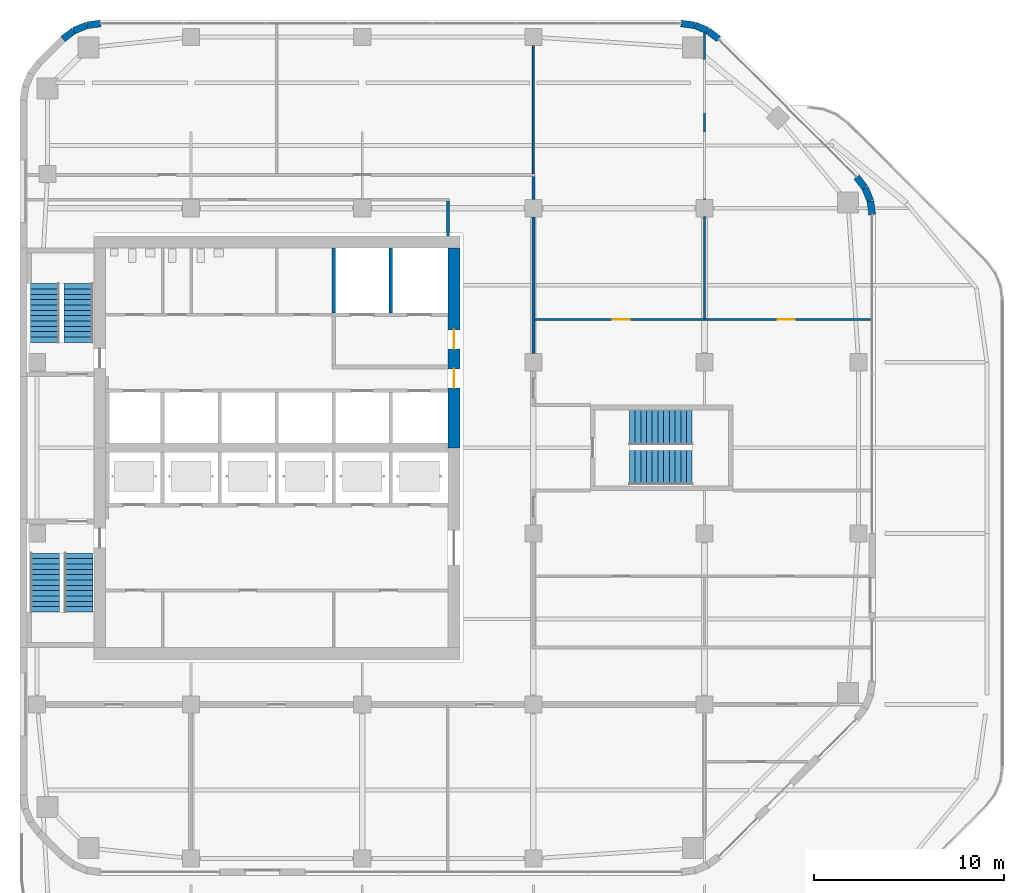
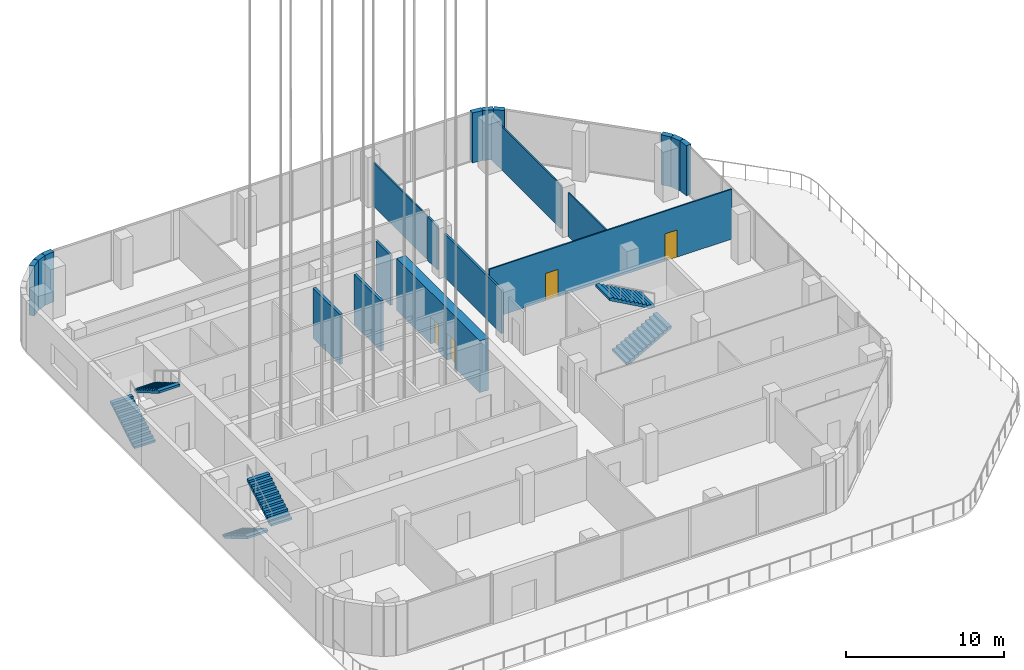
# One storey, part 26 of 29: 19 walls, 6 stair flights, 4 doors, 4 openings, 3 elements without a shape of their own.
"""IFC4 building model written with IfcOpenShell, lengths in metres."""

from ifc_helpers import new_model, si_unit, direction, frame, frame_2d, origin, place, context, subcontext, project, spatial, polyline, rectangle, outline, extrude, material, layer, layer_set, type_object, element, fill, aggregate, save


model = new_model("IFC4")

# Units and contexts
model_context = context("Model", 3, precision=1e-05, world=origin(), true_north=direction((0.0, 1.0)))
body_context = subcontext(model_context, "Body", "Model", "MODEL_VIEW")
ifc_project = project(units=[si_unit("LENGTHUNIT", "METRE"), si_unit("AREAUNIT", "SQUARE_METRE"), si_unit("VOLUMEUNIT", "CUBIC_METRE"), si_unit("PLANEANGLEUNIT", "RADIAN"), si_unit("MASSUNIT", "GRAM", prefix="KILO")], contexts=[model_context])

# Site, building, storey
site_placement = place(None, origin())
site = spatial("IfcSite", under=ifc_project, at=site_placement, CompositionType="ELEMENT")
building_placement = place(site_placement, origin())
building = spatial("IfcBuilding", under=site, at=building_placement, Name="Cinnabar Reach Civic Tower", CompositionType="ELEMENT")
storey_placement = place(building_placement, frame((0.0, 0.0, 149.0)))
storey = spatial("IfcBuildingStorey", under=building, at=storey_placement, Name="L35", CompositionType="ELEMENT", Elevation=149.0)

# Walls
ifc_material_1 = material(Name="Facing brick with insulated backing", Category="masonry")
ifc_layer_1 = layer(ifc_material_1, 0.36)
ifc_layer_set_1 = layer_set([ifc_layer_1], Name="Brick corner wall")
wall_type_1 = type_object("IfcWallType", Name="Brick corner wall", PredefinedType="STANDARD", material=ifc_layer_set_1)
for number, where, z_axis, x_axis, name in (
    (1, (44.817, 43.7686, 0.0), (0.0, 0.0, 1.0), (-0.13055608231, 0.99144092581, 0.0), "Brick corner wall"),
    (2, (44.7181, 44.4973, 0.0), (0.0, 0.0, 1.0), (-0.382702709855, 0.923871547278, 0.0), "Brick corner wall"),
):
    element("IfcWall", number, at=place(storey_placement, frame(where, z_axis=z_axis, x_axis=x_axis)), inside=storey, type_object=wall_type_1, Name=name, PredefinedType="STANDARD", context=body_context, shape_type="SweptSolid", body=[
        extrude(rectangle(XDim=0.7131, YDim=0.36, at=frame_2d((0.3565, 0.0))), origin(), (0.0, 0.0, 1.0), 3.85),
    ])
for number, where, z_axis, x_axis, name in (
    (3, (44.434, 45.1755, 0.0), (0.0, 0.0, 1.0), (-0.608802368033, 0.793321924995, 0.0), "Brick corner wall"),
    (4, (36.7413, 52.9998, 0.0), (0.0, 0.0, 1.0), (-0.793321924995, 0.608802368033, 0.0), "Brick corner wall"),
):
    element("IfcWall", number, at=place(storey_placement, frame(where, z_axis=z_axis, x_axis=x_axis)), inside=storey, type_object=wall_type_1, Name=name, PredefinedType="STANDARD", context=body_context, shape_type="SweptSolid", body=[
        extrude(rectangle(XDim=0.7132, YDim=0.36, at=frame_2d((0.3566, 0.0))), origin(), (0.0, 0.0, 1.0), 3.85),
    ])
for number, where, z_axis, x_axis, name in (
    (5, (36.1561, 53.4452, 0.0), (0.0, 0.0, 1.0), (-0.923871547278, 0.382702709855, 0.0), "Brick corner wall"),
    (6, (35.4756, 53.7239, 0.0), (0.0, 0.0, 1.0), (-0.99144092581, 0.13055608231, 0.0), "Brick corner wall"),
    (7, (4.2314, 53.817, 0.0), (0.0, 0.0, 1.0), (-0.99144092581, -0.13055608231, 0.0), "Brick corner wall"),
    (8, (3.5027, 53.7181, 0.0), (0.0, 0.0, 1.0), (-0.923871547278, -0.382702709855, 0.0), "Brick corner wall"),
):
    element("IfcWall", number, at=place(storey_placement, frame(where, z_axis=z_axis, x_axis=x_axis)), inside=storey, type_object=wall_type_1, Name=name, PredefinedType="STANDARD", context=body_context, shape_type="SweptSolid", body=[
        extrude(rectangle(XDim=0.7131, YDim=0.36, at=frame_2d((0.3565, 0.0))), origin(), (0.0, 0.0, 1.0), 3.85),
    ])
wall_1_placement = place(storey_placement, frame((2.8245, 53.434, 0.0), z_axis=(0.0, 0.0, 1.0), x_axis=(-0.793321924995, -0.608802368033, 0.0)))
element("IfcWall", 9, at=wall_1_placement, inside=storey, type_object=wall_type_1, Name="Brick corner wall", PredefinedType="STANDARD", context=body_context, shape_type="SweptSolid", body=[
    extrude(rectangle(XDim=0.7132, YDim=0.36, at=frame_2d((0.3566, 0.0))), origin(), (0.0, 0.0, 1.0), 3.85),
])

# Wall, openings, doors
ifc_material_2 = material(Name="Concrete C70", Category="concrete")
ifc_layer_2 = layer(ifc_material_2, 0.65)
ifc_layer_set_2 = layer_set([ifc_layer_2], Name="Core wall 650 EI 180")
wall_type_2 = type_object("IfcWallType", Name="Core wall 650 EI 180", PredefinedType="SOLIDWALL", material=ifc_layer_set_2)
wall_2_placement = place(storey_placement, frame((22.825, 31.5, 0.0), z_axis=(0.0, 0.0, 1.0), x_axis=(0.0, 1.0, 0.0)))
wall_2 = element("IfcWall", 10, at=wall_2_placement, inside=storey, type_object=wall_type_2, Name="Core wall T1 L35 E2", PredefinedType="SOLIDWALL", context=body_context, shape_type="SweptSolid", body=[
    extrude(rectangle(XDim=10.5, YDim=0.65, at=frame_2d((5.25, 0.0))), origin(), (0.0, 0.0, 1.0), 4.0),
])
opening_1_placement = place(wall_2_placement, frame((3.15, 0.0, 0.0)))
opening_1 = element("IfcOpeningElement", 11, at=opening_1_placement, cuts=wall_2, Name="Opening D4428", PredefinedType="OPENING", context=body_context, shape_type="SweptSolid", body=[
    extrude(rectangle(XDim=1.0, YDim=2.1, at=frame_2d((0.5, 1.05))), frame((0.0, 0.335, 0.0), z_axis=(0.0, -1.0, 0.0), x_axis=(1.0, 0.0, 0.0)), (0.0, 0.0, 1.0), 0.67),
])
opening_2_placement = place(wall_2_placement, frame((5.2, 0.0, 0.0)))
opening_2 = element("IfcOpeningElement", 12, at=opening_2_placement, cuts=wall_2, Name="Opening D4429", PredefinedType="OPENING", context=body_context, shape_type="SweptSolid", body=[
    extrude(rectangle(XDim=1.0, YDim=2.1, at=frame_2d((0.5, 1.05))), frame((0.0, 0.335, 0.0), z_axis=(0.0, -1.0, 0.0), x_axis=(1.0, 0.0, 0.0)), (0.0, 0.0, 1.0), 0.67),
])
ifc_material_3 = material(Name="Timber door leaf in steel frame", Category="steel")
door_type_1 = type_object("IfcDoorType", Name="Firefighting lobby door 1000 x 2100 T1", OperationType="SINGLE_SWING_LEFT", PredefinedType="DOOR", material=ifc_material_3)
door_1_placement = place(opening_2_placement, origin())
door_1 = element("IfcDoor", 13, at=door_1_placement, inside=storey, type_object=door_type_1, Name="Door D4429", OperationType="SINGLE_SWING_LEFT", OverallHeight=2.1, OverallWidth=1.0, PredefinedType="DOOR", context=body_context, shape_type="SweptSolid", body=[
    extrude(rectangle(XDim=1.0, YDim=2.1, at=frame_2d((0.5, 1.05))), frame((0.0, 0.025, 0.0), z_axis=(0.0, -1.0, 0.0), x_axis=(1.0, 0.0, 0.0)), (0.0, 0.0, 1.0), 0.05),
])
fill(opening_2, door_1)
door_type_2 = type_object("IfcDoorType", Name="Single swing door 1000 x 2100 T1", OperationType="SINGLE_SWING_LEFT", PredefinedType="DOOR", material=ifc_material_3)
door_2_placement = place(opening_1_placement, origin())
door_2 = element("IfcDoor", 14, at=door_2_placement, inside=storey, type_object=door_type_2, Name="Door D4428", OperationType="SINGLE_SWING_RIGHT", OverallHeight=2.1, OverallWidth=1.0, PredefinedType="DOOR", context=body_context, shape_type="SweptSolid", body=[
    extrude(rectangle(XDim=1.0, YDim=2.1, at=frame_2d((0.5, 1.05))), frame((0.0, 0.025, 0.0), z_axis=(0.0, -1.0, 0.0), x_axis=(1.0, 0.0, 0.0)), (0.0, 0.0, 1.0), 0.05),
])
fill(opening_1, door_2)

# Walls
ifc_material_4 = material(Name="Gypsum board on steel studs, double layer", Category="steel")
ifc_layer_3 = layer(ifc_material_4, 0.15)
ifc_layer_set_3 = layer_set([ifc_layer_3], Name="Corridor wall 150 T1")
wall_type_3 = type_object("IfcWallType", Name="Corridor wall 150 T1", PredefinedType="PARTITIONING", material=ifc_layer_set_3)
wall_3_placement = place(storey_placement, frame((27.0, 36.45, 0.0), z_axis=(0.0, 0.0, 1.0), x_axis=(0.0, 1.0, 0.0)))
element("IfcWall", 15, at=wall_3_placement, inside=storey, type_object=wall_type_3, Name="Corridor wall 31", PredefinedType="PARTITIONING", context=body_context, shape_type="SweptSolid", body=[
    extrude(rectangle(XDim=7.2, YDim=0.15, at=frame_2d((3.6, 0.0))), origin(), (0.0, 0.0, 1.0), 3.362),
])
wall_4_placement = place(storey_placement, frame((27.0, 44.55, 0.0), z_axis=(0.0, 0.0, 1.0), x_axis=(0.0, 1.0, 0.0)))
element("IfcWall", 16, at=wall_4_placement, inside=storey, type_object=wall_type_3, Name="Corridor wall 32", PredefinedType="PARTITIONING", context=body_context, shape_type="SweptSolid", body=[
    extrude(rectangle(XDim=1.225, YDim=0.15, at=frame_2d((0.6125, 0.0))), origin(), (0.0, 0.0, 1.0), 3.362),
])
wall_5_placement = place(storey_placement, frame((22.5, 42.65, 0.0), z_axis=(0.0, 0.0, 1.0), x_axis=(0.0, 1.0, 0.0)))
element("IfcWall", 17, at=wall_5_placement, inside=storey, type_object=wall_type_3, Name="Corridor wall 38", PredefinedType="PARTITIONING", context=body_context, shape_type="SweptSolid", body=[
    extrude(rectangle(XDim=1.825, YDim=0.15, at=frame_2d((0.9125, 0.0))), origin(), (0.0, 0.0, 1.0), 3.85),
])
ifc_material_5 = material(Name="Blockwork", Category="masonry")
ifc_layer_4 = layer(ifc_material_5, 0.2)
ifc_layer_set_4 = layer_set([ifc_layer_4], Name="Lift shaft wall 200 T1")
wall_type_4 = type_object("IfcWallType", Name="Lift shaft wall 200 T1", PredefinedType="PARTITIONING", material=ifc_layer_set_4)
for number, where, z_axis, x_axis, name in (
    (18, (16.5, 38.6, 0.0), (0.0, 0.0, 1.0), (0.0, 1.0, 0.0), "Lift shaft wall 18"),
    (19, (19.5, 38.6, 0.0), (0.0, 0.0, 1.0), (0.0, 1.0, 0.0), "Lift shaft wall 19"),
):
    element("IfcWall", number, at=place(storey_placement, frame(where, z_axis=z_axis, x_axis=x_axis)), inside=storey, type_object=wall_type_4, Name=name, PredefinedType="PARTITIONING", context=body_context, shape_type="SweptSolid", body=[
        extrude(rectangle(XDim=3.4, YDim=0.2, at=frame_2d((1.7, 0.0))), origin(), (0.0, 0.0, 1.0), 3.85),
    ])

# Wall, openings, doors
ifc_material_6 = material(Name="Gypsum board on steel studs", Category="steel")
ifc_layer_5 = layer(ifc_material_6, 0.1)
ifc_layer_set_5 = layer_set([ifc_layer_5], Name="Partition wall 100 T1")
wall_type_5 = type_object("IfcWallType", Name="Partition wall 100 T1", PredefinedType="PARTITIONING", material=ifc_layer_set_5)
wall_6_placement = place(storey_placement, frame((27.075, 38.25, 0.0), z_axis=(0.0, 0.0, 1.0), x_axis=(1.0, 0.0, 0.0)))
wall_6 = element("IfcWall", 20, at=wall_6_placement, inside=storey, type_object=wall_type_5, Name="Partition wall 44", PredefinedType="PARTITIONING", context=body_context, shape_type="SweptSolid", body=[
    extrude(rectangle(XDim=17.665, YDim=0.1, at=frame_2d((8.8325, 0.0))), origin(), (0.0, 0.0, 1.0), 3.85),
])
opening_3_placement = place(wall_6_placement, frame((4.1, 0.0, 0.0)))
opening_3 = element("IfcOpeningElement", 21, at=opening_3_placement, cuts=wall_6, Name="Opening D4439", PredefinedType="OPENING", context=body_context, shape_type="SweptSolid", body=[
    extrude(rectangle(XDim=0.9, YDim=2.1, at=frame_2d((0.45, 1.05))), frame((0.0, 0.06, 0.0), z_axis=(0.0, -1.0, 0.0), x_axis=(1.0, 0.0, 0.0)), (0.0, 0.0, 1.0), 0.12),
])
opening_4_placement = place(wall_6_placement, frame((12.775, 0.0, 0.0)))
opening_4 = element("IfcOpeningElement", 22, at=opening_4_placement, cuts=wall_6, Name="Opening D4440", PredefinedType="OPENING", context=body_context, shape_type="SweptSolid", body=[
    extrude(rectangle(XDim=0.9, YDim=2.1, at=frame_2d((0.45, 1.05))), frame((0.0, 0.06, 0.0), z_axis=(0.0, -1.0, 0.0), x_axis=(1.0, 0.0, 0.0)), (0.0, 0.0, 1.0), 0.12),
])
door_type_3 = type_object("IfcDoorType", Name="Single swing door 900 x 2100 T1", OperationType="SINGLE_SWING_LEFT", PredefinedType="DOOR", material=ifc_material_3)
door_3_placement = place(opening_3_placement, origin())
door_3 = element("IfcDoor", 23, at=door_3_placement, inside=storey, type_object=door_type_3, Name="Door D4439", OperationType="SINGLE_SWING_RIGHT", OverallHeight=2.1, OverallWidth=0.9, PredefinedType="DOOR", context=body_context, shape_type="SweptSolid", body=[
    extrude(rectangle(XDim=0.9, YDim=2.1, at=frame_2d((0.45, 1.05))), frame((0.0, 0.025, 0.0), z_axis=(0.0, -1.0, 0.0), x_axis=(1.0, 0.0, 0.0)), (0.0, 0.0, 1.0), 0.05),
])
fill(opening_3, door_3)
door_4_placement = place(opening_4_placement, frame((0.9, 0.0, 0.0), z_axis=(0.0, 0.0, 1.0), x_axis=(-1.0, 0.0, 0.0)))
door_4 = element("IfcDoor", 24, at=door_4_placement, inside=storey, type_object=door_type_3, Name="Door D4440", OperationType="SINGLE_SWING_LEFT", OverallHeight=2.1, OverallWidth=0.9, PredefinedType="DOOR", context=body_context, shape_type="SweptSolid", body=[
    extrude(rectangle(XDim=0.9, YDim=2.1, at=frame_2d((0.45, 1.05))), frame((0.0, 0.025, 0.0), z_axis=(0.0, -1.0, 0.0), x_axis=(1.0, 0.0, 0.0)), (0.0, 0.0, 1.0), 0.05),
])
fill(opening_4, door_4)

# Walls
wall_7_placement = place(storey_placement, frame((36.0, 38.3, 0.0), z_axis=(0.0, 0.0, 1.0), x_axis=(0.0, 1.0, 0.0)))
element("IfcWall", 25, at=wall_7_placement, inside=storey, type_object=wall_type_5, Name="Partition wall 45", PredefinedType="PARTITIONING", context=body_context, shape_type="SweptSolid", body=[
    extrude(rectangle(XDim=5.35, YDim=0.1, at=frame_2d((2.675, 0.0))), origin(), (0.0, 0.0, 1.0), 3.362),
])
wall_8_placement = place(storey_placement, frame((36.0, 44.55, 0.0), z_axis=(0.0, 0.0, 1.0), x_axis=(0.0, 1.0, 0.0)))
element("IfcWall", 26, at=wall_8_placement, inside=storey, type_object=wall_type_5, Name="Partition wall 46", PredefinedType="PARTITIONING", context=body_context, shape_type="SweptSolid", body=[
    extrude(rectangle(XDim=8.765, YDim=0.1, at=frame_2d((4.3825, 0.0))), origin(), (0.0, 0.0, 1.0), 3.362),
])
wall_9_placement = place(storey_placement, frame((27.0, 45.925, 0.0), z_axis=(0.0, 0.0, 1.0), x_axis=(0.0, 1.0, 0.0)))
element("IfcWall", 27, at=wall_9_placement, inside=storey, type_object=wall_type_5, Name="Partition wall 51", PredefinedType="PARTITIONING", context=body_context, shape_type="SweptSolid", body=[
    extrude(rectangle(XDim=6.725, YDim=0.1, at=frame_2d((3.3625, 0.0))), origin(), (0.0, 0.0, 1.0), 3.362),
])

# Stair, stair flights
ifc_material_7 = material(Name="Concrete C40/50", Category="concrete")
stair_type = type_object("IfcStairType", Name="T1 Exit stair, half-turn", PredefinedType="HALF_TURN_STAIR", material=ifc_material_7)
stair_1_placement = place(storey_placement, origin())
stair_1 = element("IfcStair", 28, at=stair_1_placement, inside=storey, type_object=stair_type, Name="Stair T1-S1", PredefinedType="HALF_TURN_STAIR")
stair_flight_type = type_object("IfcStairFlightType", Name="T1 Stair flight, concrete", PredefinedType="STRAIGHT", material=ifc_material_7)
stair_flight_1_placement = place(storey_placement, frame((1.3125, 25.95, 0.0), z_axis=(0.0, 0.0, 1.0), x_axis=(0.0, -1.0, 0.0)))
stair_flight_1 = element("IfcStairFlight", 29, at=stair_flight_1_placement, type_object=stair_flight_type, Name="T1-S1 flight 1", NumberOfRisers=12, NumberOfTreads=11, PredefinedType="STRAIGHT", RiserHeight=0.166666667, TreadLength=0.28, context=body_context, shape_type="SweptSolid", body=[
    extrude(outline(polyline([(0.0, 0.0), (0.0, 0.1667), (0.28, 0.1667), (0.28, 0.3333), (0.56, 0.3333), (0.56, 0.5), (0.84, 0.5), (0.84, 0.6667), (1.12, 0.6667), (1.12, 0.8333), (1.4, 0.8333), (1.4, 1.0), (1.68, 1.0), (1.68, 1.1667), (1.96, 1.1667), (1.96, 1.3333), (2.24, 1.3333), (2.24, 1.5), (2.52, 1.5), (2.52, 1.6667), (2.8, 1.6667), (2.8, 1.8333), (3.08, 1.8333), (3.08, 2.0), (3.08, 1.6588), (0.2933, 0.0), (0.0, 0.0)])), frame((0.0, 0.7625, 0.0), z_axis=(0.0, -1.0, 0.0), x_axis=(1.0, 0.0, 0.0)), (0.0, 0.0, 1.0), 1.525),
])
stair_flight_2_placement = place(storey_placement, frame((3.0875, 22.87, 2.0), z_axis=(0.0, 0.0, 1.0), x_axis=(0.0, 1.0, 0.0)))
stair_flight_2 = element("IfcStairFlight", 30, at=stair_flight_2_placement, type_object=stair_flight_type, Name="T1-S1 flight 2", NumberOfRisers=12, NumberOfTreads=11, PredefinedType="STRAIGHT", RiserHeight=0.166666667, TreadLength=0.28, context=body_context, shape_type="SweptSolid", body=[
    extrude(outline(polyline([(0.0, 0.0), (0.0, 0.1667), (0.28, 0.1667), (0.28, 0.3333), (0.56, 0.3333), (0.56, 0.5), (0.84, 0.5), (0.84, 0.6667), (1.12, 0.6667), (1.12, 0.8333), (1.4, 0.8333), (1.4, 1.0), (1.68, 1.0), (1.68, 1.1667), (1.96, 1.1667), (1.96, 1.3333), (2.24, 1.3333), (2.24, 1.5), (2.52, 1.5), (2.52, 1.6667), (2.8, 1.6667), (2.8, 1.8333), (3.08, 1.8333), (3.08, 2.0), (3.08, 1.6588), (0.2933, 0.0), (0.0, 0.0)])), frame((0.0, 0.7625, 0.0), z_axis=(0.0, -1.0, 0.0), x_axis=(1.0, 0.0, 0.0)), (0.0, 0.0, 1.0), 1.525),
])
aggregate(stair_1, [stair_flight_1, stair_flight_2])

stair_2_placement = place(storey_placement, origin())
stair_2 = element("IfcStair", 31, at=stair_2_placement, inside=storey, type_object=stair_type, Name="Stair T1-S2", PredefinedType="HALF_TURN_STAIR")
stair_flight_3_placement = place(storey_placement, frame((1.3125, 37.05, 0.0), z_axis=(0.0, 0.0, 1.0), x_axis=(0.0, 1.0, 0.0)))
stair_flight_3 = element("IfcStairFlight", 32, at=stair_flight_3_placement, type_object=stair_flight_type, Name="T1-S2 flight 1", NumberOfRisers=12, NumberOfTreads=11, PredefinedType="STRAIGHT", RiserHeight=0.166666667, TreadLength=0.28, context=body_context, shape_type="SweptSolid", body=[
    extrude(outline(polyline([(0.0, 0.0), (0.0, 0.1667), (0.28, 0.1667), (0.28, 0.3333), (0.56, 0.3333), (0.56, 0.5), (0.84, 0.5), (0.84, 0.6667), (1.12, 0.6667), (1.12, 0.8333), (1.4, 0.8333), (1.4, 1.0), (1.68, 1.0), (1.68, 1.1667), (1.96, 1.1667), (1.96, 1.3333), (2.24, 1.3333), (2.24, 1.5), (2.52, 1.5), (2.52, 1.6667), (2.8, 1.6667), (2.8, 1.8333), (3.08, 1.8333), (3.08, 2.0), (3.08, 1.6588), (0.2933, 0.0), (0.0, 0.0)])), frame((0.0, 0.7625, 0.0), z_axis=(0.0, -1.0, 0.0), x_axis=(1.0, 0.0, 0.0)), (0.0, 0.0, 1.0), 1.525),
])
stair_flight_4_placement = place(storey_placement, frame((3.0875, 40.13, 2.0), z_axis=(0.0, 0.0, 1.0), x_axis=(0.0, -1.0, 0.0)))
stair_flight_4 = element("IfcStairFlight", 33, at=stair_flight_4_placement, type_object=stair_flight_type, Name="T1-S2 flight 2", NumberOfRisers=12, NumberOfTreads=11, PredefinedType="STRAIGHT", RiserHeight=0.166666667, TreadLength=0.28, context=body_context, shape_type="SweptSolid", body=[
    extrude(outline(polyline([(0.0, 0.0), (0.0, 0.1667), (0.28, 0.1667), (0.28, 0.3333), (0.56, 0.3333), (0.56, 0.5), (0.84, 0.5), (0.84, 0.6667), (1.12, 0.6667), (1.12, 0.8333), (1.4, 0.8333), (1.4, 1.0), (1.68, 1.0), (1.68, 1.1667), (1.96, 1.1667), (1.96, 1.3333), (2.24, 1.3333), (2.24, 1.5), (2.52, 1.5), (2.52, 1.6667), (2.8, 1.6667), (2.8, 1.8333), (3.08, 1.8333), (3.08, 2.0), (3.08, 1.6588), (0.2933, 0.0), (0.0, 0.0)])), frame((0.0, 0.7625, 0.0), z_axis=(0.0, -1.0, 0.0), x_axis=(1.0, 0.0, 0.0)), (0.0, 0.0, 1.0), 1.525),
])
aggregate(stair_2, [stair_flight_3, stair_flight_4])

stair_3_placement = place(storey_placement, origin())
stair_3 = element("IfcStair", 34, at=stair_3_placement, inside=storey, type_object=stair_type, Name="Stair T1-S3", PredefinedType="HALF_TURN_STAIR")
stair_flight_5_placement = place(storey_placement, frame((32.05, 30.45, 0.0), z_axis=(0.0, 0.0, 1.0), x_axis=(1.0, 0.0, 0.0)))
stair_flight_5 = element("IfcStairFlight", 35, at=stair_flight_5_placement, type_object=stair_flight_type, Name="T1-S3 flight 1", NumberOfRisers=12, NumberOfTreads=11, PredefinedType="STRAIGHT", RiserHeight=0.166666667, TreadLength=0.3, context=body_context, shape_type="SweptSolid", body=[
    extrude(outline(polyline([(0.0, 0.0), (0.0, 0.1667), (0.3, 0.1667), (0.3, 0.3333), (0.6, 0.3333), (0.6, 0.5), (0.9, 0.5), (0.9, 0.6667), (1.2, 0.6667), (1.2, 0.8333), (1.5, 0.8333), (1.5, 1.0), (1.8, 1.0), (1.8, 1.1667), (2.1, 1.1667), (2.1, 1.3333), (2.4, 1.3333), (2.4, 1.5), (2.7, 1.5), (2.7, 1.6667), (3.0, 1.6667), (3.0, 1.8333), (3.3, 1.8333), (3.3, 2.0), (3.3, 1.6617), (0.3089, 0.0), (0.0, 0.0)])), frame((0.0, 0.9, 0.0), z_axis=(0.0, -1.0, 0.0), x_axis=(1.0, 0.0, 0.0)), (0.0, 0.0, 1.0), 1.8),
])
stair_flight_6_placement = place(storey_placement, frame((35.35, 32.55, 2.0), z_axis=(0.0, 0.0, 1.0), x_axis=(-1.0, 0.0, 0.0)))
stair_flight_6 = element("IfcStairFlight", 36, at=stair_flight_6_placement, type_object=stair_flight_type, Name="T1-S3 flight 2", NumberOfRisers=12, NumberOfTreads=11, PredefinedType="STRAIGHT", RiserHeight=0.166666667, TreadLength=0.3, context=body_context, shape_type="SweptSolid", body=[
    extrude(outline(polyline([(0.0, 0.0), (0.0, 0.1667), (0.3, 0.1667), (0.3, 0.3333), (0.6, 0.3333), (0.6, 0.5), (0.9, 0.5), (0.9, 0.6667), (1.2, 0.6667), (1.2, 0.8333), (1.5, 0.8333), (1.5, 1.0), (1.8, 1.0), (1.8, 1.1667), (2.1, 1.1667), (2.1, 1.3333), (2.4, 1.3333), (2.4, 1.5), (2.7, 1.5), (2.7, 1.6667), (3.0, 1.6667), (3.0, 1.8333), (3.3, 1.8333), (3.3, 2.0), (3.3, 1.6617), (0.3089, 0.0), (0.0, 0.0)])), frame((0.0, 0.9, 0.0), z_axis=(0.0, -1.0, 0.0), x_axis=(1.0, 0.0, 0.0)), (0.0, 0.0, 1.0), 1.8),
])
aggregate(stair_3, [stair_flight_5, stair_flight_6])

save(model, "model.ifc")
